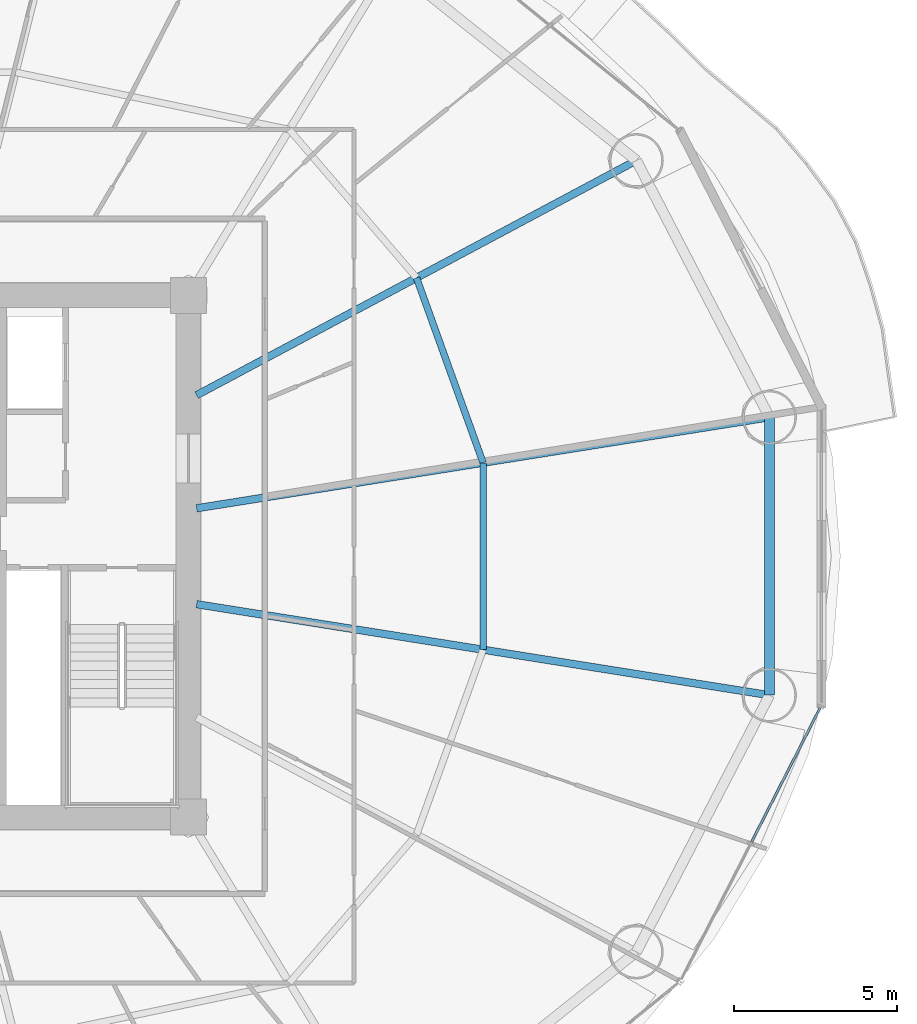
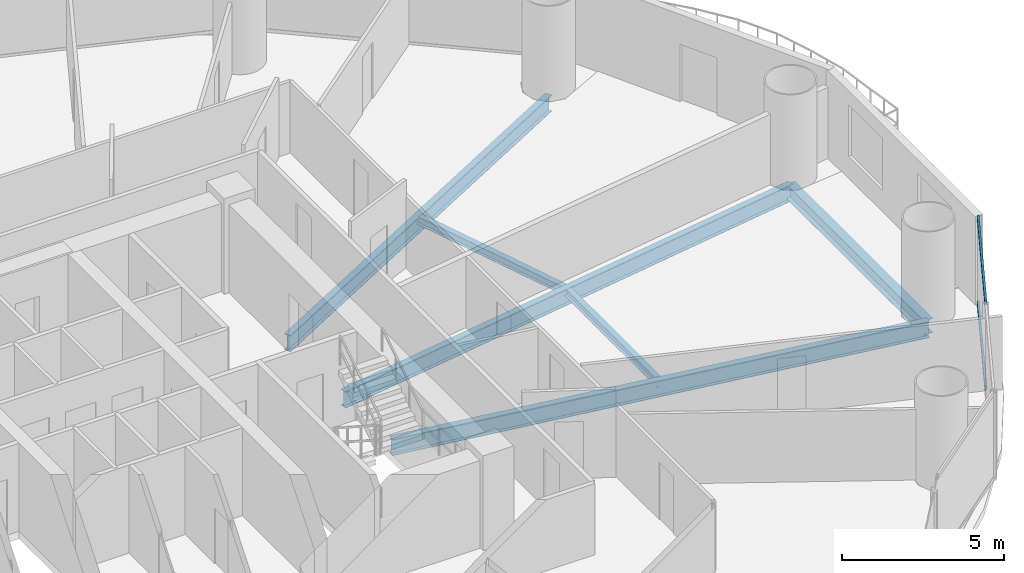
# One storey, part 11 of 28: 6 beams, 2 members, 1 element without a shape of its own.
"""IFC4 building model written with IfcOpenShell, lengths in metres."""

from ifc_helpers import new_model, si_unit, direction, frame, origin, origin_2d, place, context, subcontext, project, spatial, hollow_rectangle, i_section, extrude, source, transform, mapped, material, material_profile, profile_set, type_object, element, aggregate, save


model = new_model("IFC4")

# Units and contexts
model_context = context("Model", 3, precision=1e-05, world=origin(), true_north=direction((-0.2419218956, 0.970295726276)))
body_context = subcontext(model_context, "Body", "Model", "MODEL_VIEW")
ifc_project = project(units=[si_unit("LENGTHUNIT", "METRE"), si_unit("AREAUNIT", "SQUARE_METRE"), si_unit("VOLUMEUNIT", "CUBIC_METRE"), si_unit("PLANEANGLEUNIT", "RADIAN"), si_unit("MASSUNIT", "GRAM", prefix="KILO")], contexts=[model_context])

# Site, building, storey
site_placement = place(None, origin())
site = spatial("IfcSite", under=ifc_project, at=site_placement, CompositionType="ELEMENT")
building_placement = place(site_placement, origin())
building = spatial("IfcBuilding", under=site, at=building_placement, Name="Cobrevalo Terracotta Tower", CompositionType="ELEMENT")
storey_placement = place(building_placement, frame((0.0, 0.0, 42.0)))
storey = spatial("IfcBuildingStorey", under=building, at=storey_placement, Name="L10", CompositionType="ELEMENT", Elevation=42.0)

# Beams
ifc_material_1 = material(Name="Steel S355", Category="steel")
ifc_material_profile_1 = material_profile(ifc_material_1, i_section(OverallWidth=0.22998046875, OverallDepth=0.616943359375, WebThickness=0.01318359375, FlangeThickness=0.022216796875, at=origin_2d()), Name="W 610x140")
ifc_profile_set_1 = profile_set([ifc_material_profile_1], Name="Steel S355")
beam_type_1 = type_object("IfcBeamType", Name="Structural Beam W 610x140 (Steel S355)", PredefinedType="BEAM", material=ifc_profile_set_1)
beam_1_placement = place(storey_placement, frame((64.824462890625, 31.062744140625, -0.58837890625), z_axis=(-0.987607924622, -0.156941349628, 0.0), x_axis=(0.156941349628, -0.987607924622, 0.0)))
element("IfcBeam", 1, at=beam_1_placement, inside=storey, type_object=beam_type_1, Name="L10 radial floor girder 01", PredefinedType="BEAM", context=body_context, shape_type="SweptSolid", body=[
    extrude(i_section(OverallWidth=0.22998046875, OverallDepth=0.616943359375, WebThickness=0.01318359375, FlangeThickness=0.022216796875, at=origin_2d()), origin(), (0.0, 0.0, 1.0), 17.7900390625),
])
beam_2_placement = place(storey_placement, frame((60.74072265625, 38.939208984375, -0.58837890625), z_axis=(-0.88218223571, -0.470908168329, 0.0), x_axis=(0.470908168329, -0.88218223571, 0.0)))
element("IfcBeam", 2, at=beam_2_placement, inside=storey, type_object=beam_type_1, Name="L10 radial floor girder 02", PredefinedType="BEAM", context=body_context, shape_type="SweptSolid", body=[
    extrude(i_section(OverallWidth=0.22998046875, OverallDepth=0.616943359375, WebThickness=0.01318359375, FlangeThickness=0.022216796875, at=origin_2d()), origin(), (0.0, 0.0, 1.0), 15.286865234375),
])
beam_3_placement = place(storey_placement, frame((64.824462890625, 22.537353515625, -0.58837890625), z_axis=(-0.987607924622, 0.156941349628, 0.0), x_axis=(-0.156941349628, -0.987607924622, 0.0)))
element("IfcBeam", 3, at=beam_3_placement, inside=storey, type_object=beam_type_1, Name="L10 radial floor girder 16", PredefinedType="BEAM", context=body_context, shape_type="SweptSolid", body=[
    extrude(i_section(OverallWidth=0.22998046875, OverallDepth=0.616943359375, WebThickness=0.01318359375, FlangeThickness=0.022216796875, at=origin_2d()), origin(), (0.0, 0.0, 1.0), 17.7900390625),
])
ifc_material_profile_2 = material_profile(ifc_material_1, i_section(OverallWidth=0.2041015625, OverallDepth=0.305908203125, WebThickness=0.008544921875, FlangeThickness=0.0146484375, at=origin_2d()), Name="W 310x67")
ifc_profile_set_2 = profile_set([ifc_material_profile_2], Name="Steel S355")
beam_type_2 = type_object("IfcBeamType", Name="Structural Joist W 310x67 (Steel S355)", PredefinedType="JOIST", material=ifc_profile_set_2)
beam_4_placement = place(storey_placement, frame((56.039794921875, 29.666748046875, -0.43310546875), z_axis=(-0.338672151116, 0.940904444701, 0.0), x_axis=(-0.940904444701, -0.338672151116, 0.0)))
element("IfcBeam", 4, at=beam_4_placement, inside=storey, type_object=beam_type_2, Name="L10 circumferential secondary floor joist 01", PredefinedType="JOIST", context=body_context, shape_type="SweptSolid", body=[
    extrude(i_section(OverallWidth=0.2041015625, OverallDepth=0.305908203125, WebThickness=0.008544921875, FlangeThickness=0.0146484375, at=origin_2d()), origin(), (0.0, 0.0, 1.0), 6.029296875),
])
beam_5_placement = place(storey_placement, frame((56.039794921875, 23.933349609375, -0.43310546875), z_axis=(0.0, 1.0, 0.0), x_axis=(-1.0, 0.0, 0.0)))
element("IfcBeam", 5, at=beam_5_placement, inside=storey, type_object=beam_type_2, Name="L10 circumferential secondary floor joist 16", PredefinedType="JOIST", context=body_context, shape_type="SweptSolid", body=[
    extrude(i_section(OverallWidth=0.2041015625, OverallDepth=0.305908203125, WebThickness=0.008544921875, FlangeThickness=0.0146484375, at=origin_2d()), origin(), (0.0, 0.0, 1.0), 5.7333984375),
])
ifc_material_profile_3 = material_profile(ifc_material_1, i_section(OverallWidth=0.31201171875, OverallDepth=0.54296875, WebThickness=0.0126953125, FlangeThickness=0.020263671875, at=origin_2d()), Name="W 530x150")
ifc_profile_set_3 = profile_set([ifc_material_profile_3], Name="Steel S355")
beam_type_3 = type_object("IfcBeamType", Name="Structural Spandrel W 530x150 (Steel S355)", PredefinedType="SPANDREL", material=ifc_profile_set_3)
beam_6_placement = place(storey_placement, frame((64.824462890625, 22.537353515625, -0.551513671875), z_axis=(0.0, 1.0, 0.0), x_axis=(-1.0, 0.0, 0.0)))
element("IfcBeam", 6, at=beam_6_placement, inside=storey, type_object=beam_type_3, Name="L10 perimeter ring spandrel 16", PredefinedType="SPANDREL", context=body_context, shape_type="SweptSolid", body=[
    extrude(i_section(OverallWidth=0.31201171875, OverallDepth=0.54296875, WebThickness=0.0126953125, FlangeThickness=0.020263671875, at=origin_2d()), origin(), (0.0, 0.0, 1.0), 8.525390625),
])

# Curtain wall, members
ifc_material_2 = material(Name="Anodized aluminium", Category="aluminium")
curtain_wall_type = type_object("IfcCurtainWallType", Name="Lower-tower unitised acoustic low-E curtain wall CW-U1", PredefinedType="NOTDEFINED", material=ifc_material_2)
curtain_wall_placement = place(storey_placement, origin())
curtain_wall = element("IfcCurtainWall", 7, at=curtain_wall_placement, inside=storey, type_object=curtain_wall_type, Name="L10 curtain wall CW-L10-S15", PredefinedType="NOTDEFINED")
ifc_material_profile_4 = material_profile(ifc_material_2, hollow_rectangle(XDim=0.074951171875, YDim=0.14990234375, WallThickness=0.00439453125, at=origin_2d()), Name="CWT 75x150")
ifc_profile_set_4 = profile_set([ifc_material_profile_4], Name="Anodized aluminium")
member_type = type_object("IfcMemberType", Name="Tower unitised aluminium transom 75x150", PredefinedType="USERDEFINED", material=ifc_profile_set_4)
shared_shape = source(origin(), body_context, "Body", "SweptSolid", [
    extrude(hollow_rectangle(XDim=0.074951171875, YDim=0.14990234375, WallThickness=0.00439453125, at=origin_2d()), origin(), (0.0, 0.0, 1.0), 4.630859375),
])
member_1_placement = place(storey_placement, frame((64.268798828125, 18.026611328125, 0.050048828125), z_axis=(0.455229952508, 0.890373904795, 0.0), x_axis=(-0.890373904795, 0.455229952508, 0.0)))
member_1 = element("IfcMember", 8, at=member_1_placement, type_object=member_type, Name="CW-L10-S15 transom B02-T1", ObjectType="TRANSOM", PredefinedType="USERDEFINED", context=body_context, shape_type="MappedRepresentation", body=[
    mapped(shared_shape, transform((0.0, 0.0, 0.0), scale=1.0)),
])
member_2_placement = place(storey_placement, frame((64.268798828125, 18.026611328125, 3.27001953125), z_axis=(0.455229952508, 0.890373904795, 0.0), x_axis=(-0.890373904795, 0.455229952508, 0.0)))
member_2 = element("IfcMember", 9, at=member_2_placement, type_object=member_type, Name="CW-L10-S15 transom B02-T2", ObjectType="TRANSOM", PredefinedType="USERDEFINED", context=body_context, shape_type="MappedRepresentation", body=[
    mapped(shared_shape, transform((0.0, 0.0, 0.0), scale=1.0)),
])
aggregate(curtain_wall, [member_1, member_2])

save(model, "model.ifc")
